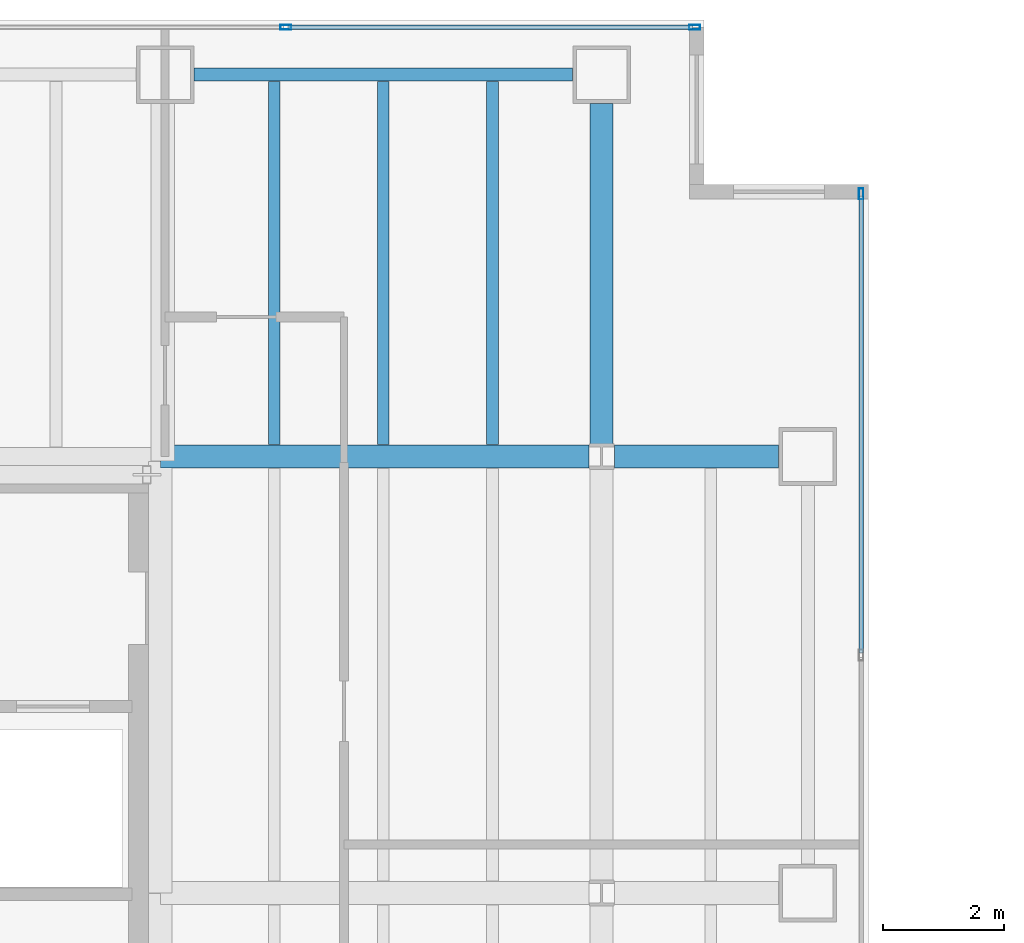
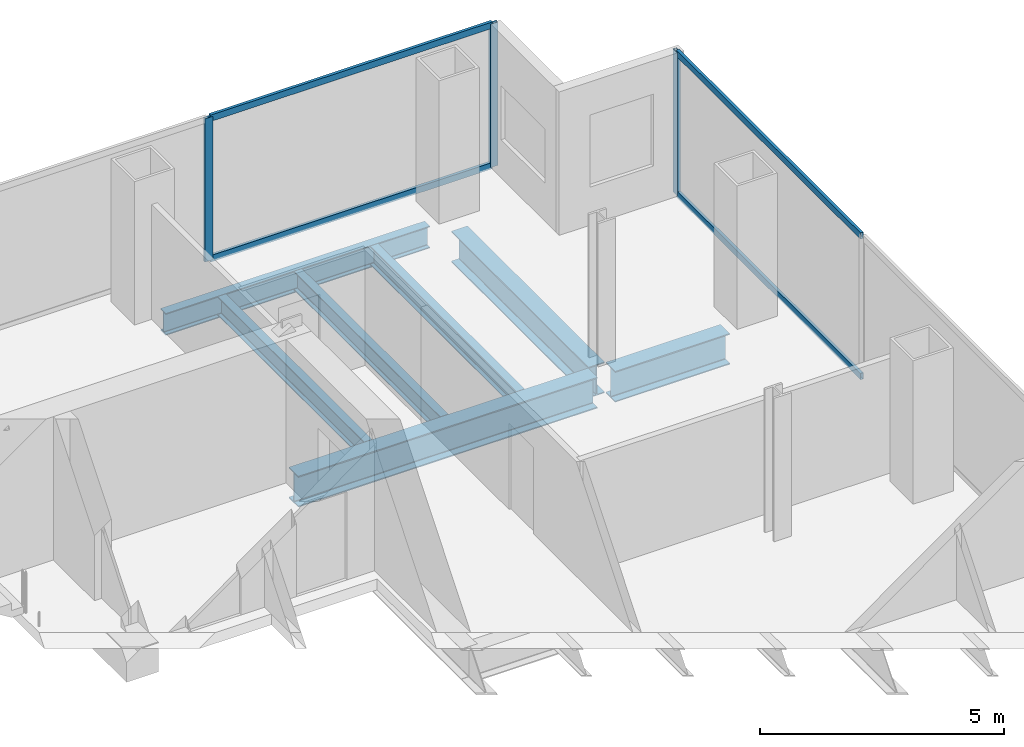
# One storey, part 18 of 23: 7 beams, 7 members, 2 elements without a shape of their own.
"""IFC4 building model written with IfcOpenShell, lengths in metres."""

from ifc_helpers import new_model, si_unit, direction, frame, origin, origin_2d, place, context, subcontext, project, spatial, hollow_rectangle, i_section, extrude, material, material_profile, profile_set, type_object, element, aggregate, save


model = new_model("IFC4")

# Units and contexts
model_context = context("Model", 3, precision=1e-05, world=origin(), true_north=direction((0.0, 1.0)))
body_context = subcontext(model_context, "Body", "Model", "MODEL_VIEW")
ifc_project = project(units=[si_unit("LENGTHUNIT", "METRE"), si_unit("AREAUNIT", "SQUARE_METRE"), si_unit("VOLUMEUNIT", "CUBIC_METRE"), si_unit("PLANEANGLEUNIT", "RADIAN"), si_unit("MASSUNIT", "GRAM", prefix="KILO")], contexts=[model_context])

# Site, building, storey
site_placement = place(None, origin())
site = spatial("IfcSite", under=ifc_project, at=site_placement, CompositionType="ELEMENT")
building_placement = place(site_placement, origin())
building = spatial("IfcBuilding", under=site, at=building_placement, Name="Cobrela Telecom Tower", CompositionType="ELEMENT")
storey_placement = place(building_placement, frame((0.0, 0.0, 113.75)))
storey = spatial("IfcBuildingStorey", under=building, at=storey_placement, Name="L28", CompositionType="ELEMENT", Elevation=113.75)

# Beams
ifc_material_1 = material(Name="Steel ASTM A992 Grade 50", Category="steel")
ifc_material_profile_1 = material_profile(ifc_material_1, i_section(OverallWidth=0.381103515625, OverallDepth=0.77197265625, WebThickness=0.0166015625, FlangeThickness=0.027099609375, FilletRadius=0.01904296875, at=origin_2d()), Name="W30X173")
ifc_profile_set_1 = profile_set([ifc_material_profile_1], Name="Steel ASTM A992 Grade 50")
beam_type_1 = type_object("IfcBeamType", Name="BM-GIRD-04", PredefinedType="USERDEFINED", material=ifc_profile_set_1)
beam_1_placement = place(storey_placement, frame((14.324951171875, 36.0, -0.656005859375), z_axis=(1.0, 0.0, 0.0), x_axis=(0.0, 1.0, 0.0)))
element("IfcBeam", 1, at=beam_1_placement, inside=storey, type_object=beam_type_1, Name="L28 Primary Girder X27", ObjectType="GIRDER", PredefinedType="USERDEFINED", context=body_context, shape_type="SweptSolid", body=[
    extrude(i_section(OverallWidth=0.381103515625, OverallDepth=0.77197265625, WebThickness=0.0166015625, FlangeThickness=0.027099609375, FilletRadius=0.01904296875, at=origin_2d()), origin(), (0.0, 0.0, 1.0), 7.0654296875),
])
beam_2_placement = place(storey_placement, frame((21.8095703125, 36.0, -0.656005859375), z_axis=(1.0, 0.0, 0.0), x_axis=(0.0, 1.0, 0.0)))
element("IfcBeam", 2, at=beam_2_placement, inside=storey, type_object=beam_type_1, Name="L28 Primary Girder X28", ObjectType="GIRDER", PredefinedType="USERDEFINED", context=body_context, shape_type="SweptSolid", body=[
    extrude(i_section(OverallWidth=0.381103515625, OverallDepth=0.77197265625, WebThickness=0.0166015625, FlangeThickness=0.027099609375, FilletRadius=0.01904296875, at=origin_2d()), origin(), (0.0, 0.0, 1.0), 2.71044921875),
])
beam_3_placement = place(storey_placement, frame((21.60009765625, 36.20947265625, -0.656005859375), z_axis=(0.0, 1.0, 0.0), x_axis=(-1.0, 0.0, 0.0)))
element("IfcBeam", 3, at=beam_3_placement, inside=storey, type_object=beam_type_1, Name="L28 Primary Girder Y44", ObjectType="GIRDER", PredefinedType="USERDEFINED", context=body_context, shape_type="SweptSolid", body=[
    extrude(i_section(OverallWidth=0.381103515625, OverallDepth=0.77197265625, WebThickness=0.0166015625, FlangeThickness=0.027099609375, FilletRadius=0.01904296875, at=origin_2d()), origin(), (0.0, 0.0, 1.0), 5.610595703125),
])
ifc_material_profile_2 = material_profile(ifc_material_1, i_section(OverallWidth=0.193115234375, OverallDepth=0.467041015625, WebThickness=0.011474609375, FlangeThickness=0.01904296875, FilletRadius=0.012939453125, at=origin_2d()), Name="W18X65")
ifc_profile_set_2 = profile_set([ifc_material_profile_2], Name="Steel ASTM A992 Grade 50")
beam_type_2 = type_object("IfcBeamType", Name="BM-JOIST-03", PredefinedType="JOIST", material=ifc_profile_set_2)
for number, where, z_axis, x_axis, name in (
    (4, (16.199951171875, 36.195556640625, -0.50341796875), (0.0, 1.0, 0.0), (-1.0, 0.0, 0.0), "L28 Secondary Composite Floor Beam J08"),
    (5, (18.0, 36.195556640625, -0.50341796875), (0.0, 1.0, 0.0), (-1.0, 0.0, 0.0), "L28 Secondary Composite Floor Beam J13"),
    (6, (19.800048828125, 36.195556640625, -0.50341796875), (0.0, 1.0, 0.0), (-1.0, 0.0, 0.0), "L28 Secondary Composite Floor Beam J18"),
):
    element("IfcBeam", number, at=place(storey_placement, frame(where, z_axis=z_axis, x_axis=x_axis)), inside=storey, type_object=beam_type_2, Name=name, PredefinedType="JOIST", context=body_context, shape_type="SweptSolid", body=[
        extrude(i_section(OverallWidth=0.193115234375, OverallDepth=0.467041015625, WebThickness=0.011474609375, FlangeThickness=0.01904296875, FilletRadius=0.012939453125, at=origin_2d()), origin(), (0.0, 0.0, 1.0), 5.992919921875),
    ])
ifc_material_profile_3 = material_profile(ifc_material_1, i_section(OverallWidth=0.212890625, OverallDepth=0.549072265625, WebThickness=0.0146484375, FlangeThickness=0.023681640625, FilletRadius=0.013916015625, at=origin_2d()), Name="W21X93")
ifc_profile_set_3 = profile_set([ifc_material_profile_3], Name="Steel ASTM A992 Grade 50")
beam_type_3 = type_object("IfcBeamType", Name="BM-SPAND-03", PredefinedType="SPANDREL", material=ifc_profile_set_3)
beam_4_placement = place(storey_placement, frame((14.8798828125, 42.300048828125, -0.54443359375), z_axis=(1.0, 0.0, 0.0), x_axis=(0.0, 1.0, 0.0)))
element("IfcBeam", 7, at=beam_4_placement, inside=storey, type_object=beam_type_3, Name="L28 Perimeter Spandrel X30", PredefinedType="SPANDREL", context=body_context, shape_type="SweptSolid", body=[
    extrude(i_section(OverallWidth=0.212890625, OverallDepth=0.549072265625, WebThickness=0.0146484375, FlangeThickness=0.023681640625, FilletRadius=0.013916015625, at=origin_2d()), origin(), (0.0, 0.0, 1.0), 6.240234375),
])

# Curtain wall, members
ifc_material_2 = material(Name="Anodized Bronze Aluminium 6063-T6", Category="aluminium")
curtain_wall_type = type_object("IfcCurtainWallType", Name="CW-SYS-TEL", PredefinedType="USERDEFINED", material=ifc_material_2)
curtain_wall_1_placement = place(storey_placement, origin())
curtain_wall_1 = element("IfcCurtainWall", 8, at=curtain_wall_1_placement, inside=storey, type_object=curtain_wall_type, Name="L28 Unitised Bronze Curtain Wall 07", ObjectType="UNITISED CURTAIN WALL", PredefinedType="USERDEFINED")
ifc_material_profile_4 = material_profile(ifc_material_2, hollow_rectangle(XDim=0.074951171875, YDim=0.179931640625, WallThickness=0.00390625, at=origin_2d()), Name="ALU 75x180x4")
ifc_profile_set_4 = profile_set([ifc_material_profile_4], Name="Anodized Bronze Aluminium 6063-T6")
member_type_1 = type_object("IfcMemberType", Name="CW-SYS-TEL-MUL", PredefinedType="MULLION", material=ifc_profile_set_4)
member_1_placement = place(storey_placement, frame((16.389892578125, 43.080078125, 0.0), z_axis=(0.0, 0.0, 1.0), x_axis=(0.0, 1.0, 0.0)))
member_1 = element("IfcMember", 9, at=member_1_placement, type_object=member_type_1, Name="CW-TEL mullion 3", PredefinedType="MULLION", context=body_context, shape_type="SweptSolid", body=[
    extrude(hollow_rectangle(XDim=0.074951171875, YDim=0.179931640625, WallThickness=0.00390625, at=origin_2d()), origin(), (0.0, 0.0, 1.0), 3.580078125),
])
member_2_placement = place(storey_placement, frame((23.132568359375, 43.080078125, 0.0), z_axis=(0.0, 0.0, 1.0), x_axis=(0.0, 1.0, 0.0)))
member_2 = element("IfcMember", 10, at=member_2_placement, type_object=member_type_1, Name="CW-TEL mullion 4", PredefinedType="MULLION", context=body_context, shape_type="SweptSolid", body=[
    extrude(hollow_rectangle(XDim=0.074951171875, YDim=0.179931640625, WallThickness=0.00390625, at=origin_2d()), origin(), (0.0, 0.0, 1.0), 3.580078125),
])

# Curtain wall, member
curtain_wall_2_placement = place(storey_placement, origin())
curtain_wall_2 = element("IfcCurtainWall", 11, at=curtain_wall_2_placement, inside=storey, type_object=curtain_wall_type, Name="L28 Unitised Bronze Curtain Wall 10", ObjectType="UNITISED CURTAIN WALL", PredefinedType="USERDEFINED")
member_3_placement = place(storey_placement, frame((25.8798828125, 40.33251953125, 0.0), z_axis=(0.0, 0.0, 1.0), x_axis=(1.0, 0.0, 0.0)))
member_3 = element("IfcMember", 12, at=member_3_placement, type_object=member_type_1, Name="CW-TEL mullion 1", PredefinedType="MULLION", context=body_context, shape_type="SweptSolid", body=[
    extrude(hollow_rectangle(XDim=0.074951171875, YDim=0.179931640625, WallThickness=0.00390625, at=origin_2d()), origin(), (0.0, 0.0, 1.0), 3.580078125),
])

# Member
ifc_material_profile_5 = material_profile(ifc_material_2, hollow_rectangle(XDim=0.070068359375, YDim=0.159912109375, WallThickness=0.00390625, at=origin_2d()), Name="ALU 70x160x4")
ifc_profile_set_5 = profile_set([ifc_material_profile_5], Name="Anodized Bronze Aluminium 6063-T6")
member_type_2 = type_object("IfcMemberType", Name="CW-SYS-TEL-TRN", PredefinedType="USERDEFINED", material=ifc_profile_set_5)
member_4_placement = place(storey_placement, frame((16.427490234375, 43.080078125, 0.034912109375), z_axis=(1.0, 0.0, 0.0), x_axis=(0.0, 1.0, 0.0)))
member_4 = element("IfcMember", 13, at=member_4_placement, type_object=member_type_2, Name="CW-TEL transom 3.1", ObjectType="TRANSOM", PredefinedType="USERDEFINED", context=body_context, shape_type="SweptSolid", body=[
    extrude(hollow_rectangle(XDim=0.070068359375, YDim=0.159912109375, WallThickness=0.00390625, at=origin_2d()), origin(), (0.0, 0.0, 1.0), 6.66748046875),
])

member_5_placement = place(storey_placement, frame((16.427490234375, 43.080078125, 3.544921875), z_axis=(1.0, 0.0, 0.0), x_axis=(0.0, 1.0, 0.0)))
member_5 = element("IfcMember", 14, at=member_5_placement, type_object=member_type_2, Name="CW-TEL transom 3.2", ObjectType="TRANSOM", PredefinedType="USERDEFINED", context=body_context, shape_type="SweptSolid", body=[
    extrude(hollow_rectangle(XDim=0.070068359375, YDim=0.159912109375, WallThickness=0.00390625, at=origin_2d()), origin(), (0.0, 0.0, 1.0), 6.66748046875),
])

aggregate(curtain_wall_1, [member_1, member_2, member_4, member_5])

member_6_placement = place(storey_placement, frame((25.8798828125, 40.294921875, 0.034912109375), z_axis=(0.0, -1.0, 0.0), x_axis=(1.0, 0.0, 0.0)))
member_6 = element("IfcMember", 15, at=member_6_placement, type_object=member_type_2, Name="CW-TEL transom 1.1", ObjectType="TRANSOM", PredefinedType="USERDEFINED", context=body_context, shape_type="SweptSolid", body=[
    extrude(hollow_rectangle(XDim=0.070068359375, YDim=0.159912109375, WallThickness=0.00390625, at=origin_2d()), origin(), (0.0, 0.0, 1.0), 7.532470703125),
])

member_7_placement = place(storey_placement, frame((25.8798828125, 40.294921875, 3.544921875), z_axis=(0.0, -1.0, 0.0), x_axis=(1.0, 0.0, 0.0)))
member_7 = element("IfcMember", 16, at=member_7_placement, type_object=member_type_2, Name="CW-TEL transom 1.2", ObjectType="TRANSOM", PredefinedType="USERDEFINED", context=body_context, shape_type="SweptSolid", body=[
    extrude(hollow_rectangle(XDim=0.070068359375, YDim=0.159912109375, WallThickness=0.00390625, at=origin_2d()), origin(), (0.0, 0.0, 1.0), 7.532470703125),
])

aggregate(curtain_wall_2, [member_3, member_6, member_7])

save(model, "model.ifc")
